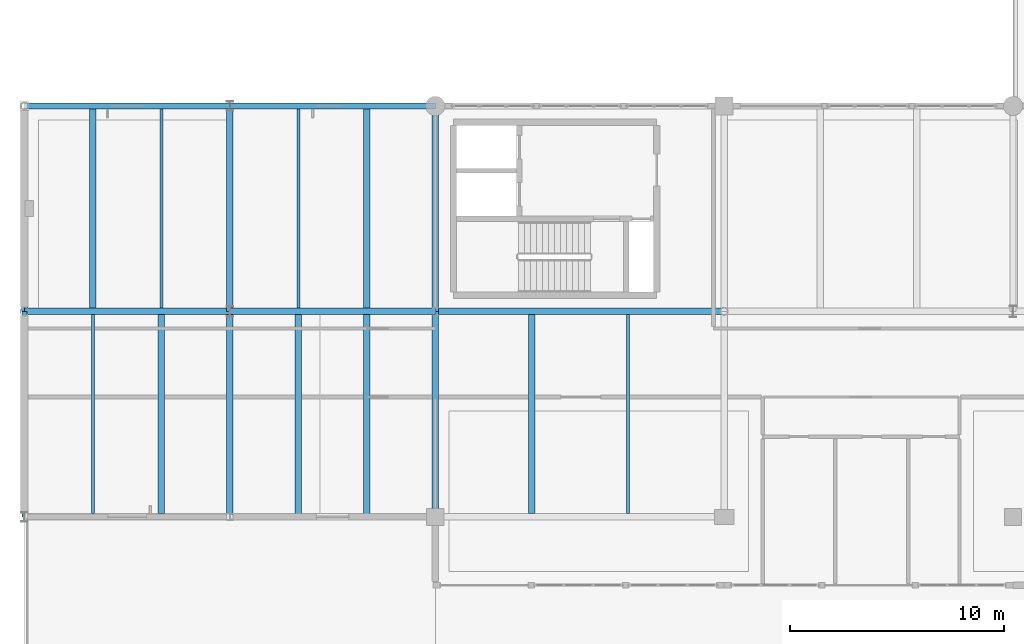
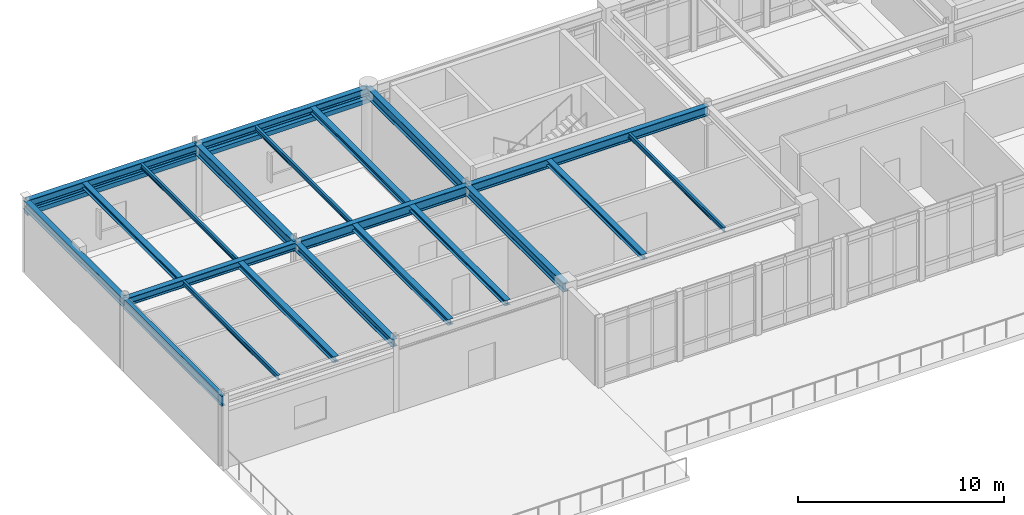
# One storey, part 8 of 55: 23 beams.
"""IFC4 building model written with IfcOpenShell, lengths in metres."""

from ifc_helpers import new_model, si_unit, direction, frame, origin, origin_2d, place, context, subcontext, project, spatial, rectangle, i_section, extrude, material, material_profile, profile_set, type_object, element, save


model = new_model("IFC4")

# Units and contexts
model_context = context("Model", 3, precision=1e-05, world=origin(), true_north=direction((0.0, 1.0)))
body_context = subcontext(model_context, "Body", "Model", "MODEL_VIEW")
ifc_project = project(units=[si_unit("LENGTHUNIT", "METRE"), si_unit("AREAUNIT", "SQUARE_METRE"), si_unit("VOLUMEUNIT", "CUBIC_METRE"), si_unit("PLANEANGLEUNIT", "RADIAN"), si_unit("MASSUNIT", "GRAM", prefix="KILO")], contexts=[model_context])

# Site, building, storey
site_placement = place(None, origin())
site = spatial("IfcSite", under=ifc_project, at=site_placement, CompositionType="ELEMENT")
building_placement = place(site_placement, origin())
building = spatial("IfcBuilding", under=site, at=building_placement, Name="Fikremerkos Civic Library", CompositionType="ELEMENT")
storey_placement = place(building_placement, frame((0.0, 0.0, 18.89990234375)))
storey = spatial("IfcBuildingStorey", under=building, at=storey_placement, Name="L04", CompositionType="ELEMENT", Elevation=18.89990234375)

# Beams
ifc_material_1 = material(Name="Steel S355", Category="steel")
ifc_material_profile_1 = material_profile(ifc_material_1, i_section(OverallWidth=0.135009765625, OverallDepth=0.27001953125, WebThickness=0.006591796875, FlangeThickness=0.01025390625, FilletRadius=0.014892578125, at=origin_2d()), Name="IPE 270")
ifc_profile_set_1 = profile_set([ifc_material_profile_1], Name="Steel S355")
beam_type_1 = type_object("IfcBeamType", Name="Floor joist JS-12 IPE 270", PredefinedType="JOIST", material=ifc_profile_set_1)
for number, where, z_axis, x_axis, name in (
    (1, (3.199951171875, 12.14990234375, 4.10498046875), (0.0, 1.0, 0.0), (-1.0, 0.0, 0.0), "Floor joist JS-12 L04 #574"),
    (2, (6.39990234375, 21.75, 4.10498046875), (0.0, 1.0, 0.0), (-1.0, 0.0, 0.0), "Floor joist JS-12 L04 #577"),
    (3, (12.800048828125, 21.75, 4.10498046875), (0.0, 1.0, 0.0), (-1.0, 0.0, 0.0), "Floor joist JS-12 L04 #580"),
    (4, (28.199951171875, 12.14990234375, 4.10498046875), (0.0, 1.0, 0.0), (-1.0, 0.0, 0.0), "Floor joist JS-12 L04 #583"),
):
    element("IfcBeam", number, at=place(storey_placement, frame(where, z_axis=z_axis, x_axis=x_axis)), inside=storey, type_object=beam_type_1, Name=name, PredefinedType="JOIST", context=body_context, shape_type="SweptSolid", body=[
        extrude(i_section(OverallWidth=0.135009765625, OverallDepth=0.27001953125, WebThickness=0.006591796875, FlangeThickness=0.01025390625, FilletRadius=0.014892578125, at=origin_2d()), origin(), (0.0, 0.0, 1.0), 9.300048828125),
    ])
ifc_material_profile_2 = material_profile(ifc_material_1, i_section(OverallWidth=0.300048828125, OverallDepth=0.35009765625, WebThickness=0.010009765625, FlangeThickness=0.017578125, FilletRadius=0.027099609375, at=origin_2d()), Name="HEA 360")
ifc_profile_set_2 = profile_set([ifc_material_profile_2], Name="Steel S355")
beam_type_2 = type_object("IfcBeamType", Name="Floor joist JS-13 HEA 360", PredefinedType="JOIST", material=ifc_profile_set_2)
beam_1_placement = place(storey_placement, frame((6.39990234375, 12.14990234375, 4.065185546875), z_axis=(0.0, 1.0, 0.0), x_axis=(-1.0, 0.0, 0.0)))
element("IfcBeam", 5, at=beam_1_placement, inside=storey, type_object=beam_type_2, Name="Floor joist JS-13 L04 #575", PredefinedType="JOIST", context=body_context, shape_type="SweptSolid", body=[
    extrude(i_section(OverallWidth=0.300048828125, OverallDepth=0.35009765625, WebThickness=0.010009765625, FlangeThickness=0.017578125, FilletRadius=0.027099609375, at=origin_2d()), origin(), (0.0, 0.0, 1.0), 9.300048828125),
])
beam_2_placement = place(storey_placement, frame((12.800048828125, 12.110107421875, 4.065185546875), z_axis=(0.0, 1.0, 0.0), x_axis=(-1.0, 0.0, 0.0)))
element("IfcBeam", 6, at=beam_2_placement, inside=storey, type_object=beam_type_2, Name="Floor joist JS-13 L04 #578", PredefinedType="JOIST", context=body_context, shape_type="SweptSolid", body=[
    extrude(i_section(OverallWidth=0.300048828125, OverallDepth=0.35009765625, WebThickness=0.010009765625, FlangeThickness=0.017578125, FilletRadius=0.027099609375, at=origin_2d()), origin(), (0.0, 0.0, 1.0), 9.33984375),
])
beam_3_placement = place(storey_placement, frame((16.0, 21.75, 4.065185546875), z_axis=(0.0, 1.0, 0.0), x_axis=(-1.0, 0.0, 0.0)))
element("IfcBeam", 7, at=beam_3_placement, inside=storey, type_object=beam_type_2, Name="Floor joist JS-13 L04 #581", PredefinedType="JOIST", context=body_context, shape_type="SweptSolid", body=[
    extrude(i_section(OverallWidth=0.300048828125, OverallDepth=0.35009765625, WebThickness=0.010009765625, FlangeThickness=0.017578125, FilletRadius=0.027099609375, at=origin_2d()), origin(), (0.0, 0.0, 1.0), 9.300048828125),
])
ifc_material_profile_3 = material_profile(ifc_material_1, i_section(OverallWidth=0.300048828125, OverallDepth=0.31005859375, WebThickness=0.009033203125, FlangeThickness=0.015380859375, FilletRadius=0.027099609375, at=origin_2d()), Name="HEA 320")
ifc_profile_set_3 = profile_set([ifc_material_profile_3], Name="Steel S355")
beam_type_3 = type_object("IfcBeamType", Name="Floor joist JS-14 HEA 320", PredefinedType="JOIST", material=ifc_profile_set_3)
beam_4_placement = place(storey_placement, frame((3.199951171875, 21.75, 4.085205078125), z_axis=(0.0, 1.0, 0.0), x_axis=(-1.0, 0.0, 0.0)))
element("IfcBeam", 8, at=beam_4_placement, inside=storey, type_object=beam_type_3, Name="Floor joist JS-14 L04 #576", PredefinedType="JOIST", context=body_context, shape_type="SweptSolid", body=[
    extrude(i_section(OverallWidth=0.300048828125, OverallDepth=0.31005859375, WebThickness=0.009033203125, FlangeThickness=0.015380859375, FilletRadius=0.027099609375, at=origin_2d()), origin(), (0.0, 0.0, 1.0), 9.300048828125),
])
beam_5_placement = place(storey_placement, frame((16.0, 12.110107421875, 4.085205078125), z_axis=(0.0, 1.0, 0.0), x_axis=(-1.0, 0.0, 0.0)))
element("IfcBeam", 9, at=beam_5_placement, inside=storey, type_object=beam_type_3, Name="Floor joist JS-14 L04 #579", PredefinedType="JOIST", context=body_context, shape_type="SweptSolid", body=[
    extrude(i_section(OverallWidth=0.300048828125, OverallDepth=0.31005859375, WebThickness=0.009033203125, FlangeThickness=0.015380859375, FilletRadius=0.027099609375, at=origin_2d()), origin(), (0.0, 0.0, 1.0), 9.33984375),
])
beam_6_placement = place(storey_placement, frame((23.699951171875, 12.14990234375, 4.085205078125), z_axis=(0.0, 1.0, 0.0), x_axis=(-1.0, 0.0, 0.0)))
element("IfcBeam", 10, at=beam_6_placement, inside=storey, type_object=beam_type_3, Name="Floor joist JS-14 L04 #582", PredefinedType="JOIST", context=body_context, shape_type="SweptSolid", body=[
    extrude(i_section(OverallWidth=0.300048828125, OverallDepth=0.31005859375, WebThickness=0.009033203125, FlangeThickness=0.015380859375, FilletRadius=0.027099609375, at=origin_2d()), origin(), (0.0, 0.0, 1.0), 9.300048828125),
])
ifc_material_2 = material(Name="Concrete C40/50", Category="concrete")
ifc_material_profile_4 = material_profile(ifc_material_2, rectangle(XDim=0.300048828125, YDim=0.260009765625, at=origin_2d()), Name="RC 300x260")
ifc_profile_set_4 = profile_set([ifc_material_profile_4], Name="Concrete C40/50")
beam_type_4 = type_object("IfcBeamType", Name="Opening lintel LNT-02 RC 300x260", PredefinedType="LINTEL", material=ifc_profile_set_4)
beam_7_placement = place(storey_placement, frame((0.0, 31.199951171875, 3.47998046875), z_axis=(1.0, 0.0, 0.0), x_axis=(0.0, 1.0, 0.0)))
element("IfcBeam", 11, at=beam_7_placement, inside=storey, type_object=beam_type_4, Name="Courtyard window head lintel LNT-02 L04 #42", PredefinedType="LINTEL", context=body_context, shape_type="SweptSolid", body=[
    extrude(rectangle(XDim=0.300048828125, YDim=0.260009765625, at=origin_2d()), origin(), (0.0, 0.0, 1.0), 9.60009765625),
])
beam_8_placement = place(storey_placement, frame((9.60009765625, 31.199951171875, 3.47998046875), z_axis=(1.0, 0.0, 0.0), x_axis=(0.0, 1.0, 0.0)))
element("IfcBeam", 12, at=beam_8_placement, inside=storey, type_object=beam_type_4, Name="Courtyard window head lintel LNT-02 L04 #43", PredefinedType="LINTEL", context=body_context, shape_type="SweptSolid", body=[
    extrude(rectangle(XDim=0.300048828125, YDim=0.260009765625, at=origin_2d()), origin(), (0.0, 0.0, 1.0), 9.599853515625),
])
ifc_material_profile_5 = material_profile(ifc_material_1, i_section(OverallWidth=0.300048828125, OverallDepth=0.60009765625, WebThickness=0.015380859375, FlangeThickness=0.030029296875, FilletRadius=0.027099609375, at=origin_2d()), Name="HEB 600")
ifc_profile_set_5 = profile_set([ifc_material_profile_5], Name="Steel S355")
beam_type_5 = type_object("IfcBeamType", Name="Primary girder BM-13 HEB 600", PredefinedType="BEAM", material=ifc_profile_set_5)
for number, where, z_axis, x_axis, name in (
    (13, (9.60009765625, 21.60009765625, 3.940185546875), (1.0, 0.0, 0.0), (0.0, 1.0, 0.0), "Primary girder BM-13 L04 grid F"),
    (14, (9.60009765625, 21.60009765625, 3.940185546875), (0.0, 1.0, 0.0), (-1.0, 0.0, 0.0), "Primary girder BM-13 L04 grid 2"),
):
    element("IfcBeam", number, at=place(storey_placement, frame(where, z_axis=z_axis, x_axis=x_axis)), inside=storey, type_object=beam_type_5, Name=name, PredefinedType="BEAM", context=body_context, shape_type="SweptSolid", body=[
        extrude(i_section(OverallWidth=0.300048828125, OverallDepth=0.60009765625, WebThickness=0.015380859375, FlangeThickness=0.030029296875, FilletRadius=0.027099609375, at=origin_2d()), origin(), (0.0, 0.0, 1.0), 9.599853515625),
    ])
ifc_material_profile_6 = material_profile(ifc_material_1, i_section(OverallWidth=0.300048828125, OverallDepth=0.550048828125, WebThickness=0.014892578125, FlangeThickness=0.029052734375, FilletRadius=0.027099609375, at=origin_2d()), Name="HEB 550")
ifc_profile_set_6 = profile_set([ifc_material_profile_6], Name="Steel S355")
beam_type_6 = type_object("IfcBeamType", Name="Primary girder BM-14 HEB 550", PredefinedType="BEAM", material=ifc_profile_set_6)
beam_9_placement = place(storey_placement, frame((19.199951171875, 21.60009765625, 3.965087890625), z_axis=(1.0, 0.0, 0.0), x_axis=(0.0, 1.0, 0.0)))
element("IfcBeam", 15, at=beam_9_placement, inside=storey, type_object=beam_type_6, Name="Primary girder BM-14 L04 grid F", PredefinedType="BEAM", context=body_context, shape_type="SweptSolid", body=[
    extrude(i_section(OverallWidth=0.300048828125, OverallDepth=0.550048828125, WebThickness=0.014892578125, FlangeThickness=0.029052734375, FilletRadius=0.027099609375, at=origin_2d()), origin(), (0.0, 0.0, 1.0), 13.5),
])
beam_10_placement = place(storey_placement, frame((19.199951171875, 12.0, 3.965087890625), z_axis=(0.0, 1.0, 0.0), x_axis=(-1.0, 0.0, 0.0)))
element("IfcBeam", 16, at=beam_10_placement, inside=storey, type_object=beam_type_6, Name="Primary girder BM-14 L04 grid 3", PredefinedType="BEAM", context=body_context, shape_type="SweptSolid", body=[
    extrude(i_section(OverallWidth=0.300048828125, OverallDepth=0.550048828125, WebThickness=0.014892578125, FlangeThickness=0.029052734375, FilletRadius=0.027099609375, at=origin_2d()), origin(), (0.0, 0.0, 1.0), 9.60009765625),
])
ifc_material_profile_7 = material_profile(ifc_material_1, i_section(OverallWidth=0.300048828125, OverallDepth=0.590087890625, WebThickness=0.012939453125, FlangeThickness=0.02490234375, FilletRadius=0.027099609375, at=origin_2d()), Name="HEA 600")
ifc_profile_set_7 = profile_set([ifc_material_profile_7], Name="Steel S355")
beam_type_7 = type_object("IfcBeamType", Name="Primary girder BM-15 HEA 600", PredefinedType="BEAM", material=ifc_profile_set_7)
beam_11_placement = place(storey_placement, frame((19.199951171875, 21.60009765625, 3.945068359375), z_axis=(0.0, 1.0, 0.0), x_axis=(-1.0, 0.0, 0.0)))
element("IfcBeam", 17, at=beam_11_placement, inside=storey, type_object=beam_type_7, Name="Primary girder BM-15 L04 grid 3", PredefinedType="BEAM", context=body_context, shape_type="SweptSolid", body=[
    extrude(i_section(OverallWidth=0.300048828125, OverallDepth=0.590087890625, WebThickness=0.012939453125, FlangeThickness=0.02490234375, FilletRadius=0.027099609375, at=origin_2d()), origin(), (0.0, 0.0, 1.0), 9.599853515625),
])
ifc_material_profile_8 = material_profile(ifc_material_1, i_section(OverallWidth=0.219970703125, OverallDepth=0.60009765625, WebThickness=0.011962890625, FlangeThickness=0.01904296875, FilletRadius=0.02392578125, at=origin_2d()), Name="IPE 600")
ifc_profile_set_8 = profile_set([ifc_material_profile_8], Name="Steel S355")
beam_type_8 = type_object("IfcBeamType", Name="Primary girder BM-20 IPE 600", PredefinedType="BEAM", material=ifc_profile_set_8)
beam_12_placement = place(storey_placement, frame((0.0, 12.0, 3.940185546875), z_axis=(0.0, 1.0, 0.0), x_axis=(-1.0, 0.0, 0.0)))
element("IfcBeam", 18, at=beam_12_placement, inside=storey, type_object=beam_type_8, Name="Primary girder BM-20 L04 grid 1", PredefinedType="BEAM", context=body_context, shape_type="SweptSolid", body=[
    extrude(i_section(OverallWidth=0.219970703125, OverallDepth=0.60009765625, WebThickness=0.011962890625, FlangeThickness=0.01904296875, FilletRadius=0.02392578125, at=origin_2d()), origin(), (0.0, 0.0, 1.0), 9.60009765625),
])
ifc_material_profile_9 = material_profile(ifc_material_1, i_section(OverallWidth=0.300048828125, OverallDepth=0.5, WebThickness=0.014404296875, FlangeThickness=0.028076171875, FilletRadius=0.027099609375, at=origin_2d()), Name="HEB 500")
ifc_profile_set_9 = profile_set([ifc_material_profile_9], Name="Steel S355")
beam_type_9 = type_object("IfcBeamType", Name="Primary girder BM-22 HEB 500", PredefinedType="BEAM", material=ifc_profile_set_9)
beam_13_placement = place(storey_placement, frame((0.0, 31.199951171875, 3.989990234375), z_axis=(1.0, 0.0, 0.0), x_axis=(0.0, 1.0, 0.0)))
element("IfcBeam", 19, at=beam_13_placement, inside=storey, type_object=beam_type_9, Name="Primary girder BM-22 L04 grid G", PredefinedType="BEAM", context=body_context, shape_type="SweptSolid", body=[
    extrude(i_section(OverallWidth=0.300048828125, OverallDepth=0.5, WebThickness=0.014404296875, FlangeThickness=0.028076171875, FilletRadius=0.027099609375, at=origin_2d()), origin(), (0.0, 0.0, 1.0), 9.60009765625),
])
beam_14_placement = place(storey_placement, frame((0.0, 21.60009765625, 3.989990234375), z_axis=(0.0, 1.0, 0.0), x_axis=(-1.0, 0.0, 0.0)))
element("IfcBeam", 20, at=beam_14_placement, inside=storey, type_object=beam_type_9, Name="Primary girder BM-22 L04 grid 1", PredefinedType="BEAM", context=body_context, shape_type="SweptSolid", body=[
    extrude(i_section(OverallWidth=0.300048828125, OverallDepth=0.5, WebThickness=0.014404296875, FlangeThickness=0.028076171875, FilletRadius=0.027099609375, at=origin_2d()), origin(), (0.0, 0.0, 1.0), 9.599853515625),
])
ifc_material_profile_10 = material_profile(ifc_material_1, i_section(OverallWidth=0.300048828125, OverallDepth=0.449951171875, WebThickness=0.013916015625, FlangeThickness=0.02587890625, FilletRadius=0.027099609375, at=origin_2d()), Name="HEB 450")
ifc_profile_set_10 = profile_set([ifc_material_profile_10], Name="Steel S355")
beam_type_10 = type_object("IfcBeamType", Name="Primary girder BM-23 HEB 450", PredefinedType="BEAM", material=ifc_profile_set_10)
beam_15_placement = place(storey_placement, frame((0.0, 21.60009765625, 4.01513671875), z_axis=(1.0, 0.0, 0.0), x_axis=(0.0, 1.0, 0.0)))
element("IfcBeam", 21, at=beam_15_placement, inside=storey, type_object=beam_type_10, Name="Primary girder BM-23 L04 grid F", PredefinedType="BEAM", context=body_context, shape_type="SweptSolid", body=[
    extrude(i_section(OverallWidth=0.300048828125, OverallDepth=0.449951171875, WebThickness=0.013916015625, FlangeThickness=0.02587890625, FilletRadius=0.027099609375, at=origin_2d()), origin(), (0.0, 0.0, 1.0), 9.60009765625),
])
beam_16_placement = place(storey_placement, frame((9.60009765625, 31.199951171875, 4.01513671875), z_axis=(1.0, 0.0, 0.0), x_axis=(0.0, 1.0, 0.0)))
element("IfcBeam", 22, at=beam_16_placement, inside=storey, type_object=beam_type_10, Name="Primary girder BM-23 L04 grid G", PredefinedType="BEAM", context=body_context, shape_type="SweptSolid", body=[
    extrude(i_section(OverallWidth=0.300048828125, OverallDepth=0.449951171875, WebThickness=0.013916015625, FlangeThickness=0.02587890625, FilletRadius=0.027099609375, at=origin_2d()), origin(), (0.0, 0.0, 1.0), 9.599853515625),
])
beam_17_placement = place(storey_placement, frame((9.60009765625, 12.0, 4.01513671875), z_axis=(0.0, 1.0, 0.0), x_axis=(-1.0, 0.0, 0.0)))
element("IfcBeam", 23, at=beam_17_placement, inside=storey, type_object=beam_type_10, Name="Primary girder BM-23 L04 grid 2", PredefinedType="BEAM", context=body_context, shape_type="SweptSolid", body=[
    extrude(i_section(OverallWidth=0.300048828125, OverallDepth=0.449951171875, WebThickness=0.013916015625, FlangeThickness=0.02587890625, FilletRadius=0.027099609375, at=origin_2d()), origin(), (0.0, 0.0, 1.0), 9.60009765625),
])

save(model, "model.ifc")
